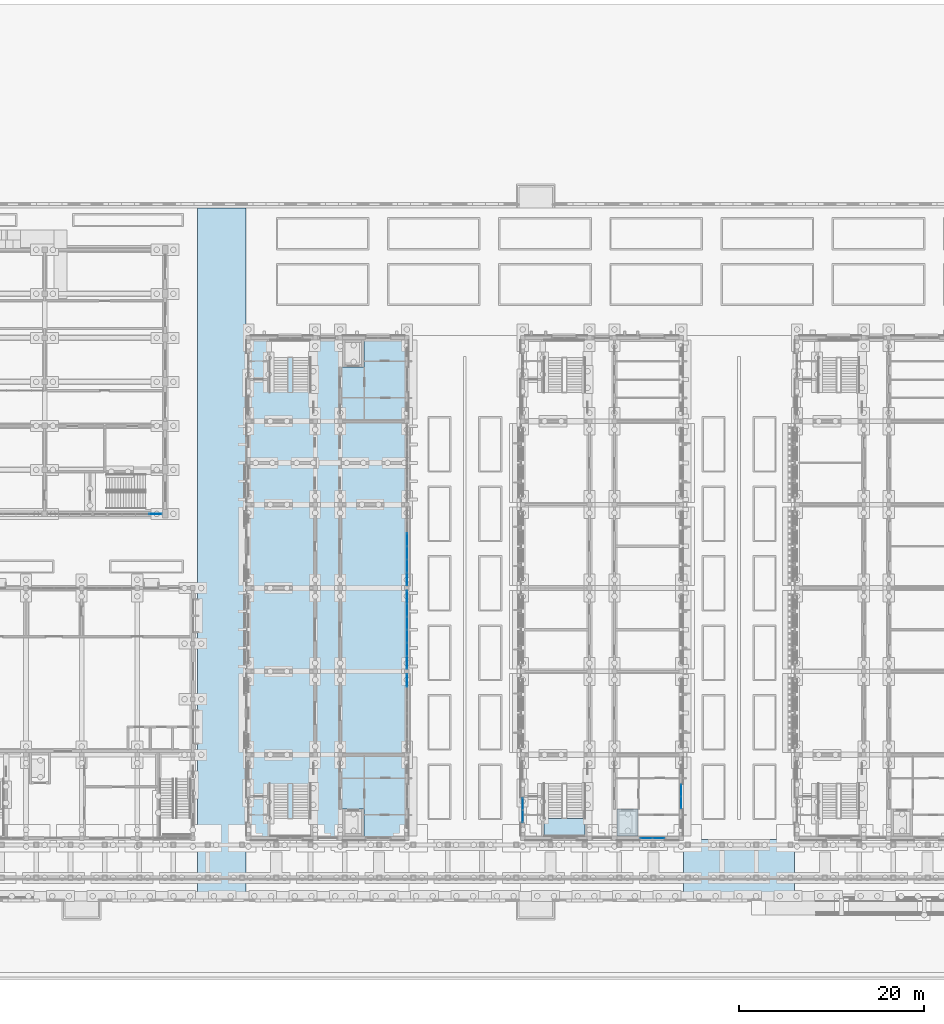
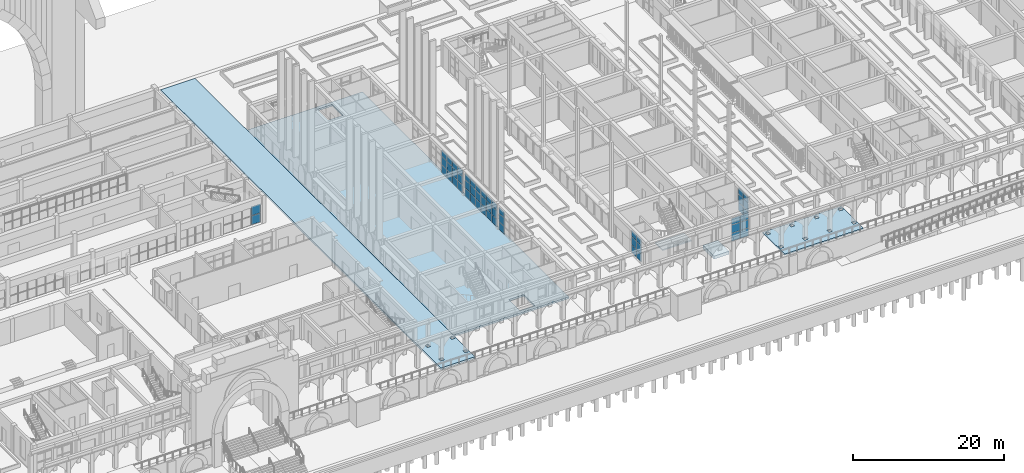
# One storey, part 46 of 161: 53 plates, 5 slabs, 8 elements without a shape of their own.
"""IFC4 building model written with IfcOpenShell, lengths in metres."""

from ifc_helpers import new_model, si_unit, direction, frame, origin, origin_2d, place, context, subcontext, project, spatial, polyline, rectangle, outline, extrude, material, layer, layer_set, type_object, element, aggregate, save


model = new_model("IFC4")

# Units and contexts
model_context = context("Model", 3, precision=1e-05, world=origin(), true_north=direction((0.0, 1.0)))
body_context = subcontext(model_context, "Body", "Model", "MODEL_VIEW")
ifc_project = project(units=[si_unit("LENGTHUNIT", "METRE"), si_unit("AREAUNIT", "SQUARE_METRE"), si_unit("VOLUMEUNIT", "CUBIC_METRE"), si_unit("PLANEANGLEUNIT", "RADIAN"), si_unit("MASSUNIT", "GRAM", prefix="KILO")], contexts=[model_context])

# Site, building, storey
site_placement = place(None, origin())
site = spatial("IfcSite", under=ifc_project, at=site_placement, CompositionType="ELEMENT")
building_placement = place(site_placement, origin())
building = spatial("IfcBuilding", under=site, at=building_placement, Name="Elbe Cascade School", CompositionType="ELEMENT")
storey_placement = place(building_placement, origin())
storey = spatial("IfcBuildingStorey", under=building, at=storey_placement, Name="L00", CompositionType="ELEMENT", Elevation=0.0)

# Stair, slab
ifc_material_1 = material(Name="Concrete C30/37", Category="concrete")
stair_type = type_object("IfcStairType", Name="Bar stair RC 150", PredefinedType="HALF_TURN_STAIR", material=ifc_material_1)
stair_placement = place(storey_placement, origin())
stair = element("IfcStair", 1, at=stair_placement, inside=storey, type_object=stair_type, Name="Stair B0.S", PredefinedType="HALF_TURN_STAIR")
ifc_material_2 = material(Name="Concrete C30/37", Category="concrete")
ifc_layer_1 = layer(ifc_material_2, 0.199951171875)
ifc_layer_set_1 = layer_set([ifc_layer_1], Name="Concrete C30/37")
slab_type_1 = type_object("IfcSlabType", Name="Bar stair landing RC 200", PredefinedType="LANDING", material=ifc_layer_set_1)
slab_1_placement = place(storey_placement, frame((0.0, 0.0, 2.050048828125)))
slab_1 = element("IfcSlab", 2, at=slab_1_placement, type_object=slab_type_1, Name="ST3 landing 1", PredefinedType="LANDING", context=body_context, shape_type="SweptSolid", body=[
    extrude(outline(polyline([(100.89990234375, 6.179931640625), (105.300048828125, 6.179931640625), (105.300048828125, 8.1298828125), (100.89990234375, 8.1298828125), (100.89990234375, 6.179931640625)])), origin(), (0.0, 0.0, 1.0), 0.199951171875),
])
aggregate(stair, [slab_1])

# Curtain wall, plates
ifc_material_3 = material(Name="Aluminium frame with double glazing, bronze anodised", Category="aluminium")
ifc_layer_2 = layer(ifc_material_3, 0.199951171875)
ifc_layer_set_2 = layer_set([ifc_layer_2], Name="Aluminium frame with double glazing, bronze anodised")
curtain_wall_type_1 = type_object("IfcCurtainWallType", Name="Bars envelope Curtain wall, aluminium, bronze anodised, ground floor tall run", PredefinedType="NOTDEFINED", material=ifc_layer_set_2)
curtain_wall_1_placement = place(storey_placement, origin())
curtain_wall_1 = element("IfcCurtainWall", 3, at=curtain_wall_1_placement, inside=storey, type_object=curtain_wall_type_1, Name="Curtain wall CW3 A.L00.e2", PredefinedType="NOTDEFINED")
ifc_material_4 = material(Name="Glass - double glazed low-E", Category="glass")
ifc_layer_3 = layer(ifc_material_4, 0.035888671875)
ifc_layer_set_3 = layer_set([ifc_layer_3], Name="Glass - double glazed low-E")
plate_type_1 = type_object("IfcPlateType", Name="Bars envelope Curtain wall glazing panel 36 mm, double glazed, ground floor tall run", PredefinedType="CURTAIN_PANEL", material=ifc_layer_set_3)
plate_1_placement = place(storey_placement, frame((86.10009765625, 23.026611328125, 0.06005859375), z_axis=(0.0, 0.0, 1.0), x_axis=(0.0, -1.0, 0.0)))
plate_1 = element("IfcPlate", 4, at=plate_1_placement, type_object=plate_type_1, Name="CW3 panel 1.1", PredefinedType="CURTAIN_PANEL", context=body_context, shape_type="SweptSolid", body=[
    extrude(rectangle(XDim=1.32666015625, YDim=0.035888671875, at=origin_2d()), origin(), (0.0, 0.0, 1.0), 1.260009765625),
])
plate_2_placement = place(storey_placement, frame((86.10009765625, 23.026611328125, 1.3798828125), z_axis=(0.0, 0.0, 1.0), x_axis=(0.0, -1.0, 0.0)))
plate_2 = element("IfcPlate", 5, at=plate_2_placement, type_object=plate_type_1, Name="CW3 panel 1.2", PredefinedType="CURTAIN_PANEL", context=body_context, shape_type="SweptSolid", body=[
    extrude(rectangle(XDim=1.32666015625, YDim=0.035888671875, at=origin_2d()), origin(), (0.0, 0.0, 1.0), 1.2900390625),
])
plate_3_placement = place(storey_placement, frame((86.10009765625, 23.026611328125, 2.72998046875), z_axis=(0.0, 0.0, 1.0), x_axis=(0.0, -1.0, 0.0)))
plate_3 = element("IfcPlate", 6, at=plate_3_placement, type_object=plate_type_1, Name="CW3 panel 1.3", PredefinedType="CURTAIN_PANEL", context=body_context, shape_type="SweptSolid", body=[
    extrude(rectangle(XDim=1.32666015625, YDim=0.035888671875, at=origin_2d()), origin(), (0.0, 0.0, 1.0), 0.9599609375),
])
aggregate(curtain_wall_1, [plate_1, plate_2, plate_3])

curtain_wall_2_placement = place(storey_placement, origin())
curtain_wall_2 = element("IfcCurtainWall", 7, at=curtain_wall_2_placement, inside=storey, type_object=curtain_wall_type_1, Name="Curtain wall CW3 A.L00.e3", PredefinedType="NOTDEFINED")
plate_4_placement = place(storey_placement, frame((86.10009765625, 32.026611328125, 0.06005859375), z_axis=(0.0, 0.0, 1.0), x_axis=(0.0, -1.0, 0.0)))
plate_4 = element("IfcPlate", 8, at=plate_4_placement, type_object=plate_type_1, Name="CW3 panel 1.1", PredefinedType="CURTAIN_PANEL", context=body_context, shape_type="SweptSolid", body=[
    extrude(rectangle(XDim=1.32666015625, YDim=0.035888671875, at=origin_2d()), origin(), (0.0, 0.0, 1.0), 1.260009765625),
])
plate_5_placement = place(storey_placement, frame((86.10009765625, 32.026611328125, 1.3798828125), z_axis=(0.0, 0.0, 1.0), x_axis=(0.0, -1.0, 0.0)))
plate_5 = element("IfcPlate", 9, at=plate_5_placement, type_object=plate_type_1, Name="CW3 panel 1.2", PredefinedType="CURTAIN_PANEL", context=body_context, shape_type="SweptSolid", body=[
    extrude(rectangle(XDim=1.32666015625, YDim=0.035888671875, at=origin_2d()), origin(), (0.0, 0.0, 1.0), 1.2900390625),
])
plate_6_placement = place(storey_placement, frame((86.10009765625, 32.026611328125, 2.72998046875), z_axis=(0.0, 0.0, 1.0), x_axis=(0.0, -1.0, 0.0)))
plate_6 = element("IfcPlate", 10, at=plate_6_placement, type_object=plate_type_1, Name="CW3 panel 1.3", PredefinedType="CURTAIN_PANEL", context=body_context, shape_type="SweptSolid", body=[
    extrude(rectangle(XDim=1.32666015625, YDim=0.035888671875, at=origin_2d()), origin(), (0.0, 0.0, 1.0), 0.9599609375),
])
plate_7_placement = place(storey_placement, frame((86.10009765625, 30.625, 0.06005859375), z_axis=(0.0, 0.0, 1.0), x_axis=(0.0, -1.0, 0.0)))
plate_7 = element("IfcPlate", 11, at=plate_7_placement, type_object=plate_type_1, Name="CW3 panel 2.1", PredefinedType="CURTAIN_PANEL", context=body_context, shape_type="SweptSolid", body=[
    extrude(rectangle(XDim=1.356689453125, YDim=0.035888671875, at=origin_2d()), origin(), (0.0, 0.0, 1.0), 1.260009765625),
])
plate_8_placement = place(storey_placement, frame((86.10009765625, 30.625, 1.3798828125), z_axis=(0.0, 0.0, 1.0), x_axis=(0.0, -1.0, 0.0)))
plate_8 = element("IfcPlate", 12, at=plate_8_placement, type_object=plate_type_1, Name="CW3 panel 2.2", PredefinedType="CURTAIN_PANEL", context=body_context, shape_type="SweptSolid", body=[
    extrude(rectangle(XDim=1.356689453125, YDim=0.035888671875, at=origin_2d()), origin(), (0.0, 0.0, 1.0), 1.2900390625),
])
plate_9_placement = place(storey_placement, frame((86.10009765625, 30.625, 2.72998046875), z_axis=(0.0, 0.0, 1.0), x_axis=(0.0, -1.0, 0.0)))
plate_9 = element("IfcPlate", 13, at=plate_9_placement, type_object=plate_type_1, Name="CW3 panel 2.3", PredefinedType="CURTAIN_PANEL", context=body_context, shape_type="SweptSolid", body=[
    extrude(rectangle(XDim=1.356689453125, YDim=0.035888671875, at=origin_2d()), origin(), (0.0, 0.0, 1.0), 0.9599609375),
])
plate_10_placement = place(storey_placement, frame((86.10009765625, 29.208251953125, 0.06005859375), z_axis=(0.0, 0.0, 1.0), x_axis=(0.0, -1.0, 0.0)))
plate_10 = element("IfcPlate", 14, at=plate_10_placement, type_object=plate_type_1, Name="CW3 panel 3.1", PredefinedType="CURTAIN_PANEL", context=body_context, shape_type="SweptSolid", body=[
    extrude(rectangle(XDim=1.356689453125, YDim=0.035888671875, at=origin_2d()), origin(), (0.0, 0.0, 1.0), 1.260009765625),
])
plate_11_placement = place(storey_placement, frame((86.10009765625, 29.208251953125, 1.3798828125), z_axis=(0.0, 0.0, 1.0), x_axis=(0.0, -1.0, 0.0)))
plate_11 = element("IfcPlate", 15, at=plate_11_placement, type_object=plate_type_1, Name="CW3 panel 3.2", PredefinedType="CURTAIN_PANEL", context=body_context, shape_type="SweptSolid", body=[
    extrude(rectangle(XDim=1.356689453125, YDim=0.035888671875, at=origin_2d()), origin(), (0.0, 0.0, 1.0), 1.2900390625),
])
plate_12_placement = place(storey_placement, frame((86.10009765625, 29.208251953125, 2.72998046875), z_axis=(0.0, 0.0, 1.0), x_axis=(0.0, -1.0, 0.0)))
plate_12 = element("IfcPlate", 16, at=plate_12_placement, type_object=plate_type_1, Name="CW3 panel 3.3", PredefinedType="CURTAIN_PANEL", context=body_context, shape_type="SweptSolid", body=[
    extrude(rectangle(XDim=1.356689453125, YDim=0.035888671875, at=origin_2d()), origin(), (0.0, 0.0, 1.0), 0.9599609375),
])
plate_13_placement = place(storey_placement, frame((86.10009765625, 27.791748046875, 0.06005859375), z_axis=(0.0, 0.0, 1.0), x_axis=(0.0, -1.0, 0.0)))
plate_13 = element("IfcPlate", 17, at=plate_13_placement, type_object=plate_type_1, Name="CW3 panel 4.1", PredefinedType="CURTAIN_PANEL", context=body_context, shape_type="SweptSolid", body=[
    extrude(rectangle(XDim=1.356689453125, YDim=0.035888671875, at=origin_2d()), origin(), (0.0, 0.0, 1.0), 1.260009765625),
])
plate_14_placement = place(storey_placement, frame((86.10009765625, 27.791748046875, 1.3798828125), z_axis=(0.0, 0.0, 1.0), x_axis=(0.0, -1.0, 0.0)))
plate_14 = element("IfcPlate", 18, at=plate_14_placement, type_object=plate_type_1, Name="CW3 panel 4.2", PredefinedType="CURTAIN_PANEL", context=body_context, shape_type="SweptSolid", body=[
    extrude(rectangle(XDim=1.356689453125, YDim=0.035888671875, at=origin_2d()), origin(), (0.0, 0.0, 1.0), 1.2900390625),
])
plate_15_placement = place(storey_placement, frame((86.10009765625, 27.791748046875, 2.72998046875), z_axis=(0.0, 0.0, 1.0), x_axis=(0.0, -1.0, 0.0)))
plate_15 = element("IfcPlate", 19, at=plate_15_placement, type_object=plate_type_1, Name="CW3 panel 4.3", PredefinedType="CURTAIN_PANEL", context=body_context, shape_type="SweptSolid", body=[
    extrude(rectangle(XDim=1.356689453125, YDim=0.035888671875, at=origin_2d()), origin(), (0.0, 0.0, 1.0), 0.9599609375),
])
plate_16_placement = place(storey_placement, frame((86.10009765625, 26.375, 0.06005859375), z_axis=(0.0, 0.0, 1.0), x_axis=(0.0, -1.0, 0.0)))
plate_16 = element("IfcPlate", 20, at=plate_16_placement, type_object=plate_type_1, Name="CW3 panel 5.1", PredefinedType="CURTAIN_PANEL", context=body_context, shape_type="SweptSolid", body=[
    extrude(rectangle(XDim=1.356689453125, YDim=0.035888671875, at=origin_2d()), origin(), (0.0, 0.0, 1.0), 1.260009765625),
])
plate_17_placement = place(storey_placement, frame((86.10009765625, 26.375, 1.3798828125), z_axis=(0.0, 0.0, 1.0), x_axis=(0.0, -1.0, 0.0)))
plate_17 = element("IfcPlate", 21, at=plate_17_placement, type_object=plate_type_1, Name="CW3 panel 5.2", PredefinedType="CURTAIN_PANEL", context=body_context, shape_type="SweptSolid", body=[
    extrude(rectangle(XDim=1.356689453125, YDim=0.035888671875, at=origin_2d()), origin(), (0.0, 0.0, 1.0), 1.2900390625),
])
plate_18_placement = place(storey_placement, frame((86.10009765625, 26.375, 2.72998046875), z_axis=(0.0, 0.0, 1.0), x_axis=(0.0, -1.0, 0.0)))
plate_18 = element("IfcPlate", 22, at=plate_18_placement, type_object=plate_type_1, Name="CW3 panel 5.3", PredefinedType="CURTAIN_PANEL", context=body_context, shape_type="SweptSolid", body=[
    extrude(rectangle(XDim=1.356689453125, YDim=0.035888671875, at=origin_2d()), origin(), (0.0, 0.0, 1.0), 0.9599609375),
])
plate_19_placement = place(storey_placement, frame((86.10009765625, 24.973388671875, 0.06005859375), z_axis=(0.0, 0.0, 1.0), x_axis=(0.0, -1.0, 0.0)))
plate_19 = element("IfcPlate", 23, at=plate_19_placement, type_object=plate_type_1, Name="CW3 panel 6.1", PredefinedType="CURTAIN_PANEL", context=body_context, shape_type="SweptSolid", body=[
    extrude(rectangle(XDim=1.32666015625, YDim=0.035888671875, at=origin_2d()), origin(), (0.0, 0.0, 1.0), 1.260009765625),
])
plate_20_placement = place(storey_placement, frame((86.10009765625, 24.973388671875, 1.3798828125), z_axis=(0.0, 0.0, 1.0), x_axis=(0.0, -1.0, 0.0)))
plate_20 = element("IfcPlate", 24, at=plate_20_placement, type_object=plate_type_1, Name="CW3 panel 6.2", PredefinedType="CURTAIN_PANEL", context=body_context, shape_type="SweptSolid", body=[
    extrude(rectangle(XDim=1.32666015625, YDim=0.035888671875, at=origin_2d()), origin(), (0.0, 0.0, 1.0), 1.2900390625),
])
plate_21_placement = place(storey_placement, frame((86.10009765625, 24.973388671875, 2.72998046875), z_axis=(0.0, 0.0, 1.0), x_axis=(0.0, -1.0, 0.0)))
plate_21 = element("IfcPlate", 25, at=plate_21_placement, type_object=plate_type_1, Name="CW3 panel 6.3", PredefinedType="CURTAIN_PANEL", context=body_context, shape_type="SweptSolid", body=[
    extrude(rectangle(XDim=1.32666015625, YDim=0.035888671875, at=origin_2d()), origin(), (0.0, 0.0, 1.0), 0.9599609375),
])
aggregate(curtain_wall_2, [plate_4, plate_5, plate_6, plate_7, plate_8, plate_9, plate_10, plate_11, plate_12, plate_13, plate_14, plate_15, plate_16, plate_17, plate_18, plate_19, plate_20, plate_21])

curtain_wall_3_placement = place(storey_placement, origin())
curtain_wall_3 = element("IfcCurtainWall", 26, at=curtain_wall_3_placement, inside=storey, type_object=curtain_wall_type_1, Name="Curtain wall CW3 A.L00.e4", PredefinedType="NOTDEFINED")
plate_22_placement = place(storey_placement, frame((86.10009765625, 38.208251953125, 0.06005859375), z_axis=(0.0, 0.0, 1.0), x_axis=(0.0, -1.0, 0.0)))
plate_22 = element("IfcPlate", 27, at=plate_22_placement, type_object=plate_type_1, Name="CW3 panel 3.1", PredefinedType="CURTAIN_PANEL", context=body_context, shape_type="SweptSolid", body=[
    extrude(rectangle(XDim=1.356689453125, YDim=0.035888671875, at=origin_2d()), origin(), (0.0, 0.0, 1.0), 1.260009765625),
])
plate_23_placement = place(storey_placement, frame((86.10009765625, 38.208251953125, 1.3798828125), z_axis=(0.0, 0.0, 1.0), x_axis=(0.0, -1.0, 0.0)))
plate_23 = element("IfcPlate", 28, at=plate_23_placement, type_object=plate_type_1, Name="CW3 panel 3.2", PredefinedType="CURTAIN_PANEL", context=body_context, shape_type="SweptSolid", body=[
    extrude(rectangle(XDim=1.356689453125, YDim=0.035888671875, at=origin_2d()), origin(), (0.0, 0.0, 1.0), 1.2900390625),
])
plate_24_placement = place(storey_placement, frame((86.10009765625, 38.208251953125, 2.72998046875), z_axis=(0.0, 0.0, 1.0), x_axis=(0.0, -1.0, 0.0)))
plate_24 = element("IfcPlate", 29, at=plate_24_placement, type_object=plate_type_1, Name="CW3 panel 3.3", PredefinedType="CURTAIN_PANEL", context=body_context, shape_type="SweptSolid", body=[
    extrude(rectangle(XDim=1.356689453125, YDim=0.035888671875, at=origin_2d()), origin(), (0.0, 0.0, 1.0), 0.9599609375),
])
plate_25_placement = place(storey_placement, frame((86.10009765625, 36.791748046875, 0.06005859375), z_axis=(0.0, 0.0, 1.0), x_axis=(0.0, -1.0, 0.0)))
plate_25 = element("IfcPlate", 30, at=plate_25_placement, type_object=plate_type_1, Name="CW3 panel 4.1", PredefinedType="CURTAIN_PANEL", context=body_context, shape_type="SweptSolid", body=[
    extrude(rectangle(XDim=1.356689453125, YDim=0.035888671875, at=origin_2d()), origin(), (0.0, 0.0, 1.0), 1.260009765625),
])
plate_26_placement = place(storey_placement, frame((86.10009765625, 36.791748046875, 1.3798828125), z_axis=(0.0, 0.0, 1.0), x_axis=(0.0, -1.0, 0.0)))
plate_26 = element("IfcPlate", 31, at=plate_26_placement, type_object=plate_type_1, Name="CW3 panel 4.2", PredefinedType="CURTAIN_PANEL", context=body_context, shape_type="SweptSolid", body=[
    extrude(rectangle(XDim=1.356689453125, YDim=0.035888671875, at=origin_2d()), origin(), (0.0, 0.0, 1.0), 1.2900390625),
])
plate_27_placement = place(storey_placement, frame((86.10009765625, 36.791748046875, 2.72998046875), z_axis=(0.0, 0.0, 1.0), x_axis=(0.0, -1.0, 0.0)))
plate_27 = element("IfcPlate", 32, at=plate_27_placement, type_object=plate_type_1, Name="CW3 panel 4.3", PredefinedType="CURTAIN_PANEL", context=body_context, shape_type="SweptSolid", body=[
    extrude(rectangle(XDim=1.356689453125, YDim=0.035888671875, at=origin_2d()), origin(), (0.0, 0.0, 1.0), 0.9599609375),
])
plate_28_placement = place(storey_placement, frame((86.10009765625, 35.375, 0.06005859375), z_axis=(0.0, 0.0, 1.0), x_axis=(0.0, -1.0, 0.0)))
plate_28 = element("IfcPlate", 33, at=plate_28_placement, type_object=plate_type_1, Name="CW3 panel 5.1", PredefinedType="CURTAIN_PANEL", context=body_context, shape_type="SweptSolid", body=[
    extrude(rectangle(XDim=1.356689453125, YDim=0.035888671875, at=origin_2d()), origin(), (0.0, 0.0, 1.0), 1.260009765625),
])
plate_29_placement = place(storey_placement, frame((86.10009765625, 35.375, 1.3798828125), z_axis=(0.0, 0.0, 1.0), x_axis=(0.0, -1.0, 0.0)))
plate_29 = element("IfcPlate", 34, at=plate_29_placement, type_object=plate_type_1, Name="CW3 panel 5.2", PredefinedType="CURTAIN_PANEL", context=body_context, shape_type="SweptSolid", body=[
    extrude(rectangle(XDim=1.356689453125, YDim=0.035888671875, at=origin_2d()), origin(), (0.0, 0.0, 1.0), 1.2900390625),
])
plate_30_placement = place(storey_placement, frame((86.10009765625, 35.375, 2.72998046875), z_axis=(0.0, 0.0, 1.0), x_axis=(0.0, -1.0, 0.0)))
plate_30 = element("IfcPlate", 35, at=plate_30_placement, type_object=plate_type_1, Name="CW3 panel 5.3", PredefinedType="CURTAIN_PANEL", context=body_context, shape_type="SweptSolid", body=[
    extrude(rectangle(XDim=1.356689453125, YDim=0.035888671875, at=origin_2d()), origin(), (0.0, 0.0, 1.0), 0.9599609375),
])
plate_31_placement = place(storey_placement, frame((86.10009765625, 33.973388671875, 0.06005859375), z_axis=(0.0, 0.0, 1.0), x_axis=(0.0, -1.0, 0.0)))
plate_31 = element("IfcPlate", 36, at=plate_31_placement, type_object=plate_type_1, Name="CW3 panel 6.1", PredefinedType="CURTAIN_PANEL", context=body_context, shape_type="SweptSolid", body=[
    extrude(rectangle(XDim=1.32666015625, YDim=0.035888671875, at=origin_2d()), origin(), (0.0, 0.0, 1.0), 1.260009765625),
])
plate_32_placement = place(storey_placement, frame((86.10009765625, 33.973388671875, 1.3798828125), z_axis=(0.0, 0.0, 1.0), x_axis=(0.0, -1.0, 0.0)))
plate_32 = element("IfcPlate", 37, at=plate_32_placement, type_object=plate_type_1, Name="CW3 panel 6.2", PredefinedType="CURTAIN_PANEL", context=body_context, shape_type="SweptSolid", body=[
    extrude(rectangle(XDim=1.32666015625, YDim=0.035888671875, at=origin_2d()), origin(), (0.0, 0.0, 1.0), 1.2900390625),
])
plate_33_placement = place(storey_placement, frame((86.10009765625, 33.973388671875, 2.72998046875), z_axis=(0.0, 0.0, 1.0), x_axis=(0.0, -1.0, 0.0)))
plate_33 = element("IfcPlate", 38, at=plate_33_placement, type_object=plate_type_1, Name="CW3 panel 6.3", PredefinedType="CURTAIN_PANEL", context=body_context, shape_type="SweptSolid", body=[
    extrude(rectangle(XDim=1.32666015625, YDim=0.035888671875, at=origin_2d()), origin(), (0.0, 0.0, 1.0), 0.9599609375),
])
aggregate(curtain_wall_3, [plate_22, plate_23, plate_24, plate_25, plate_26, plate_27, plate_28, plate_29, plate_30, plate_31, plate_32, plate_33])

curtain_wall_4_placement = place(storey_placement, origin())
curtain_wall_4 = element("IfcCurtainWall", 39, at=curtain_wall_4_placement, inside=storey, type_object=curtain_wall_type_1, Name="Curtain wall CW3 B.L00.w1", PredefinedType="NOTDEFINED")
plate_34_placement = place(storey_placement, frame((98.60009765625, 8.3798828125, 0.06005859375), z_axis=(0.0, 0.0, 1.0), x_axis=(0.0, 1.0, 0.0)))
plate_34 = element("IfcPlate", 40, at=plate_34_placement, type_object=plate_type_1, Name="CW3 panel 1.1", PredefinedType="CURTAIN_PANEL", context=body_context, shape_type="SweptSolid", body=[
    extrude(rectangle(XDim=1.260009765625, YDim=0.035888671875, at=origin_2d()), origin(), (0.0, 0.0, 1.0), 1.260009765625),
])
plate_35_placement = place(storey_placement, frame((98.60009765625, 8.3798828125, 1.3798828125), z_axis=(0.0, 0.0, 1.0), x_axis=(0.0, 1.0, 0.0)))
plate_35 = element("IfcPlate", 41, at=plate_35_placement, type_object=plate_type_1, Name="CW3 panel 1.2", PredefinedType="CURTAIN_PANEL", context=body_context, shape_type="SweptSolid", body=[
    extrude(rectangle(XDim=1.260009765625, YDim=0.035888671875, at=origin_2d()), origin(), (0.0, 0.0, 1.0), 1.2900390625),
])
plate_36_placement = place(storey_placement, frame((98.60009765625, 8.3798828125, 2.72998046875), z_axis=(0.0, 0.0, 1.0), x_axis=(0.0, 1.0, 0.0)))
plate_36 = element("IfcPlate", 42, at=plate_36_placement, type_object=plate_type_1, Name="CW3 panel 1.3", PredefinedType="CURTAIN_PANEL", context=body_context, shape_type="SweptSolid", body=[
    extrude(rectangle(XDim=1.260009765625, YDim=0.035888671875, at=origin_2d()), origin(), (0.0, 0.0, 1.0), 0.9599609375),
])
plate_37_placement = place(storey_placement, frame((98.60009765625, 9.699951171875, 0.06005859375), z_axis=(0.0, 0.0, 1.0), x_axis=(0.0, 1.0, 0.0)))
plate_37 = element("IfcPlate", 43, at=plate_37_placement, type_object=plate_type_1, Name="CW3 panel 2.1", PredefinedType="CURTAIN_PANEL", context=body_context, shape_type="SweptSolid", body=[
    extrude(rectangle(XDim=1.260009765625, YDim=0.035888671875, at=origin_2d()), origin(), (0.0, 0.0, 1.0), 1.260009765625),
])
plate_38_placement = place(storey_placement, frame((98.60009765625, 9.699951171875, 1.3798828125), z_axis=(0.0, 0.0, 1.0), x_axis=(0.0, 1.0, 0.0)))
plate_38 = element("IfcPlate", 44, at=plate_38_placement, type_object=plate_type_1, Name="CW3 panel 2.2", PredefinedType="CURTAIN_PANEL", context=body_context, shape_type="SweptSolid", body=[
    extrude(rectangle(XDim=1.260009765625, YDim=0.035888671875, at=origin_2d()), origin(), (0.0, 0.0, 1.0), 1.2900390625),
])
plate_39_placement = place(storey_placement, frame((98.60009765625, 9.699951171875, 2.72998046875), z_axis=(0.0, 0.0, 1.0), x_axis=(0.0, 1.0, 0.0)))
plate_39 = element("IfcPlate", 45, at=plate_39_placement, type_object=plate_type_1, Name="CW3 panel 2.3", PredefinedType="CURTAIN_PANEL", context=body_context, shape_type="SweptSolid", body=[
    extrude(rectangle(XDim=1.260009765625, YDim=0.035888671875, at=origin_2d()), origin(), (0.0, 0.0, 1.0), 0.9599609375),
])
aggregate(curtain_wall_4, [plate_34, plate_35, plate_36, plate_37, plate_38, plate_39])

curtain_wall_5_placement = place(storey_placement, origin())
curtain_wall_5 = element("IfcCurtainWall", 46, at=curtain_wall_5_placement, inside=storey, type_object=curtain_wall_type_1, Name="Curtain wall CW3 B.L00.e1", PredefinedType="NOTDEFINED")
plate_40_placement = place(storey_placement, frame((115.699951171875, 11.159912109375, 0.06005859375), z_axis=(0.0, 0.0, 1.0), x_axis=(0.0, -1.0, 0.0)))
plate_40 = element("IfcPlate", 47, at=plate_40_placement, type_object=plate_type_1, Name="CW3 panel 1.1", PredefinedType="CURTAIN_PANEL", context=body_context, shape_type="SweptSolid", body=[
    extrude(rectangle(XDim=1.260009765625, YDim=0.035888671875, at=origin_2d()), origin(), (0.0, 0.0, 1.0), 1.260009765625),
])
plate_41_placement = place(storey_placement, frame((115.699951171875, 11.159912109375, 1.3798828125), z_axis=(0.0, 0.0, 1.0), x_axis=(0.0, -1.0, 0.0)))
plate_41 = element("IfcPlate", 48, at=plate_41_placement, type_object=plate_type_1, Name="CW3 panel 1.2", PredefinedType="CURTAIN_PANEL", context=body_context, shape_type="SweptSolid", body=[
    extrude(rectangle(XDim=1.260009765625, YDim=0.035888671875, at=origin_2d()), origin(), (0.0, 0.0, 1.0), 1.2900390625),
])
plate_42_placement = place(storey_placement, frame((115.699951171875, 11.159912109375, 2.72998046875), z_axis=(0.0, 0.0, 1.0), x_axis=(0.0, -1.0, 0.0)))
plate_42 = element("IfcPlate", 49, at=plate_42_placement, type_object=plate_type_1, Name="CW3 panel 1.3", PredefinedType="CURTAIN_PANEL", context=body_context, shape_type="SweptSolid", body=[
    extrude(rectangle(XDim=1.260009765625, YDim=0.035888671875, at=origin_2d()), origin(), (0.0, 0.0, 1.0), 0.9599609375),
])
plate_43_placement = place(storey_placement, frame((115.699951171875, 9.840087890625, 0.06005859375), z_axis=(0.0, 0.0, 1.0), x_axis=(0.0, -1.0, 0.0)))
plate_43 = element("IfcPlate", 50, at=plate_43_placement, type_object=plate_type_1, Name="CW3 panel 2.1", PredefinedType="CURTAIN_PANEL", context=body_context, shape_type="SweptSolid", body=[
    extrude(rectangle(XDim=1.260009765625, YDim=0.035888671875, at=origin_2d()), origin(), (0.0, 0.0, 1.0), 1.260009765625),
])
plate_44_placement = place(storey_placement, frame((115.699951171875, 9.840087890625, 1.3798828125), z_axis=(0.0, 0.0, 1.0), x_axis=(0.0, -1.0, 0.0)))
plate_44 = element("IfcPlate", 51, at=plate_44_placement, type_object=plate_type_1, Name="CW3 panel 2.2", PredefinedType="CURTAIN_PANEL", context=body_context, shape_type="SweptSolid", body=[
    extrude(rectangle(XDim=1.260009765625, YDim=0.035888671875, at=origin_2d()), origin(), (0.0, 0.0, 1.0), 1.2900390625),
])
plate_45_placement = place(storey_placement, frame((115.699951171875, 9.840087890625, 2.72998046875), z_axis=(0.0, 0.0, 1.0), x_axis=(0.0, -1.0, 0.0)))
plate_45 = element("IfcPlate", 52, at=plate_45_placement, type_object=plate_type_1, Name="CW3 panel 2.3", PredefinedType="CURTAIN_PANEL", context=body_context, shape_type="SweptSolid", body=[
    extrude(rectangle(XDim=1.260009765625, YDim=0.035888671875, at=origin_2d()), origin(), (0.0, 0.0, 1.0), 0.9599609375),
])
aggregate(curtain_wall_5, [plate_40, plate_41, plate_42, plate_43, plate_44, plate_45])

curtain_wall_6_placement = place(storey_placement, origin())
curtain_wall_6 = element("IfcCurtainWall", 53, at=curtain_wall_6_placement, inside=storey, type_object=curtain_wall_type_1, Name="Curtain wall CW3 B.L00.s3", PredefinedType="NOTDEFINED")
plate_46_placement = place(storey_placement, frame((113.260009765625, 6.0, 0.06005859375), z_axis=(0.0, 0.0, 1.0), x_axis=(-1.0, 0.0, 0.0)))
plate_46 = element("IfcPlate", 54, at=plate_46_placement, type_object=plate_type_1, Name="CW3 panel 1.1", PredefinedType="CURTAIN_PANEL", context=body_context, shape_type="SweptSolid", body=[
    extrude(rectangle(XDim=1.260009765625, YDim=0.035888671875, at=origin_2d()), origin(), (0.0, 0.0, 1.0), 1.260009765625),
])
plate_47_placement = place(storey_placement, frame((113.260009765625, 6.0, 1.3798828125), z_axis=(0.0, 0.0, 1.0), x_axis=(-1.0, 0.0, 0.0)))
plate_47 = element("IfcPlate", 55, at=plate_47_placement, type_object=plate_type_1, Name="CW3 panel 1.2", PredefinedType="CURTAIN_PANEL", context=body_context, shape_type="SweptSolid", body=[
    extrude(rectangle(XDim=1.260009765625, YDim=0.035888671875, at=origin_2d()), origin(), (0.0, 0.0, 1.0), 1.2900390625),
])
plate_48_placement = place(storey_placement, frame((113.260009765625, 6.0, 2.72998046875), z_axis=(0.0, 0.0, 1.0), x_axis=(-1.0, 0.0, 0.0)))
plate_48 = element("IfcPlate", 56, at=plate_48_placement, type_object=plate_type_1, Name="CW3 panel 1.3", PredefinedType="CURTAIN_PANEL", context=body_context, shape_type="SweptSolid", body=[
    extrude(rectangle(XDim=1.260009765625, YDim=0.035888671875, at=origin_2d()), origin(), (0.0, 0.0, 1.0), 1.010009765625),
])
plate_49_placement = place(storey_placement, frame((111.93994140625, 6.0, 0.06005859375), z_axis=(0.0, 0.0, 1.0), x_axis=(-1.0, 0.0, 0.0)))
plate_49 = element("IfcPlate", 57, at=plate_49_placement, type_object=plate_type_1, Name="CW3 panel 2.1", PredefinedType="CURTAIN_PANEL", context=body_context, shape_type="SweptSolid", body=[
    extrude(rectangle(XDim=1.260009765625, YDim=0.035888671875, at=origin_2d()), origin(), (0.0, 0.0, 1.0), 1.260009765625),
])
plate_50_placement = place(storey_placement, frame((111.93994140625, 6.0, 1.3798828125), z_axis=(0.0, 0.0, 1.0), x_axis=(-1.0, 0.0, 0.0)))
plate_50 = element("IfcPlate", 58, at=plate_50_placement, type_object=plate_type_1, Name="CW3 panel 2.2", PredefinedType="CURTAIN_PANEL", context=body_context, shape_type="SweptSolid", body=[
    extrude(rectangle(XDim=1.260009765625, YDim=0.035888671875, at=origin_2d()), origin(), (0.0, 0.0, 1.0), 1.2900390625),
])
plate_51_placement = place(storey_placement, frame((111.93994140625, 6.0, 2.72998046875), z_axis=(0.0, 0.0, 1.0), x_axis=(-1.0, 0.0, 0.0)))
plate_51 = element("IfcPlate", 59, at=plate_51_placement, type_object=plate_type_1, Name="CW3 panel 2.3", PredefinedType="CURTAIN_PANEL", context=body_context, shape_type="SweptSolid", body=[
    extrude(rectangle(XDim=1.260009765625, YDim=0.035888671875, at=origin_2d()), origin(), (0.0, 0.0, 1.0), 1.010009765625),
])
aggregate(curtain_wall_6, [plate_46, plate_47, plate_48, plate_49, plate_50, plate_51])

# Slabs
ifc_material_5 = material(Name="Concrete C30/37", Category="concrete")
ifc_layer_4 = layer(ifc_material_5, 0.300048828125)
ifc_layer_set_4 = layer_set([ifc_layer_4], Name="Concrete C30/37")
slab_type_2 = type_object("IfcSlabType", Name="Fire lane slab 300", PredefinedType="BASESLAB", material=ifc_layer_set_4)
slab_2_placement = place(storey_placement, frame((0.0, 0.0, -0.300048828125)))
element("IfcSlab", 60, at=slab_2_placement, inside=storey, type_object=slab_type_2, Name="Fire and service lane slab", PredefinedType="BASESLAB", context=body_context, shape_type="SweptSolid", body=[
    extrude(outline(polyline([(63.5, 0.0), (68.75, 0.0), (68.75, 5.75), (68.75, 6.25), (68.75, 14.75), (68.75, 15.25), (68.75, 23.75), (68.75, 24.25), (68.75, 32.75), (68.75, 33.25), (68.75, 41.75), (68.75, 42.25), (68.75, 50.75), (68.75, 51.25), (68.75, 59.75), (68.75, 60.25), (68.75, 74.0), (63.5, 74.0), (63.5, 5.85009765625), (63.5, 0.0)]), holes=[polyline([(64.864990234375, 1.989990234375), (64.864990234375, 1.4599609375), (64.3349609375, 1.4599609375), (64.3349609375, 1.989990234375), (64.864990234375, 1.989990234375)]), polyline([(64.864990234375, 5.010009765625), (64.3349609375, 5.010009765625), (64.3349609375, 5.5400390625), (64.864990234375, 5.5400390625), (64.864990234375, 5.010009765625)]), polyline([(68.034912109375, 1.4599609375), (68.034912109375, 1.989990234375), (68.56494140625, 1.989990234375), (68.56494140625, 1.4599609375), (68.034912109375, 1.4599609375)]), polyline([(68.034912109375, 5.5400390625), (68.56494140625, 5.5400390625), (68.56494140625, 5.010009765625), (68.034912109375, 5.010009765625), (68.034912109375, 5.5400390625)])]), origin(), (0.0, 0.0, 1.0), 0.300048828125),
])
ifc_material_6 = material(Name="Concrete C35/45", Category="concrete")
ifc_layer_5 = layer(ifc_material_6, 0.300048828125)
ifc_layer_set_5 = layer_set([ifc_layer_5], Name="Concrete C35/45")
slab_type_3 = type_object("IfcSlabType", Name="Ground slab 300", PredefinedType="BASESLAB", material=ifc_layer_set_5)
slab_3_placement = place(storey_placement, frame((0.0, 0.0, -0.300048828125)))
element("IfcSlab", 61, at=slab_3_placement, inside=storey, type_object=slab_type_3, Name="Ground slab 300 S1", PredefinedType="BASESLAB", context=body_context, shape_type="SweptSolid", body=[
    extrude(outline(polyline([(68.75, 5.75), (86.35009765625, 5.75), (86.35009765625, 60.25), (68.75, 60.25), (68.75, 5.75)]), holes=[polyline([(79.14990234375, 6.25), (81.449951171875, 6.25), (81.449951171875, 9.14990234375), (79.14990234375, 9.14990234375), (79.14990234375, 6.25)]), polyline([(79.14990234375, 56.85009765625), (81.449951171875, 56.85009765625), (81.449951171875, 59.75), (79.14990234375, 59.75), (79.14990234375, 56.85009765625)])]), origin(), (0.0, 0.0, 1.0), 0.300048828125),
])

# Curtain wall, plates
ifc_material_7 = material(Name="Glass - double glazed low-E", Category="glass")
curtain_wall_type_2 = type_object("IfcCurtainWallType", Name="Hall gable curtain wall", PredefinedType="NOTDEFINED", material=ifc_material_7)
curtain_wall_7_placement = place(storey_placement, origin())
curtain_wall_7 = element("IfcCurtainWall", 62, at=curtain_wall_7_placement, inside=storey, type_object=curtain_wall_type_2, Name="Entrance front curtain wall 8", PredefinedType="NOTDEFINED")
ifc_material_8 = material(Name="Glass - double glazed low-E", Category="glass")
ifc_layer_6 = layer(ifc_material_8, 0.028076171875)
ifc_layer_set_6 = layer_set([ifc_layer_6], Name="Glass - double glazed low-E")
plate_type_2 = type_object("IfcPlateType", Name="Hall gable glass panel", PredefinedType="CURTAIN_PANEL", material=ifc_layer_set_6)
plate_52_placement = place(storey_placement, frame((58.9599609375, 41.0, 0.06005859375), z_axis=(0.0, 0.0, 1.0), x_axis=(1.0, 0.0, 0.0)))
plate_52 = element("IfcPlate", 63, at=plate_52_placement, type_object=plate_type_2, Name="CW6 panel 4.1", PredefinedType="CURTAIN_PANEL", context=body_context, shape_type="SweptSolid", body=[
    extrude(rectangle(XDim=1.360107421875, YDim=0.028076171875, at=origin_2d()), origin(), (0.0, 0.0, 1.0), 1.43505859375),
])
plate_53_placement = place(storey_placement, frame((58.9599609375, 41.0, 1.554931640625), z_axis=(0.0, 0.0, 1.0), x_axis=(1.0, 0.0, 0.0)))
plate_53 = element("IfcPlate", 64, at=plate_53_placement, type_object=plate_type_2, Name="CW6 panel 4.2", PredefinedType="CURTAIN_PANEL", context=body_context, shape_type="SweptSolid", body=[
    extrude(rectangle(XDim=1.360107421875, YDim=0.028076171875, at=origin_2d()), origin(), (0.0, 0.0, 1.0), 1.43505859375),
])
aggregate(curtain_wall_7, [plate_52, plate_53])

# Slabs
ifc_material_9 = material(Name="Concrete C35/45", Category="concrete")
ifc_layer_7 = layer(ifc_material_9, 0.5)
ifc_layer_set_7 = layer_set([ifc_layer_7], Name="Concrete C35/45")
slab_type_4 = type_object("IfcSlabType", Name="Lift pit slab 500", PredefinedType="BASESLAB", material=ifc_layer_set_7)
slab_4_placement = place(storey_placement, frame((0.0, 0.0, -2.10009765625)))
element("IfcSlab", 65, at=slab_4_placement, inside=storey, type_object=slab_type_4, Name="Lift pit slab 500 S5", PredefinedType="BASESLAB", context=body_context, shape_type="SweptSolid", body=[
    extrude(outline(polyline([(108.75, 6.25), (111.050048828125, 6.25), (111.050048828125, 9.14990234375), (108.75, 9.14990234375), (108.75, 6.25)])), origin(), (0.0, 0.0, 1.0), 0.5),
])
ifc_material_10 = material(Name="Concrete C30/37", Category="concrete")
ifc_layer_8 = layer(ifc_material_10, 0.199951171875)
ifc_layer_set_8 = layer_set([ifc_layer_8], Name="Concrete C30/37")
slab_type_5 = type_object("IfcSlabType", Name="Paving slab 200", PredefinedType="BASESLAB", material=ifc_layer_set_8)
slab_5_placement = place(storey_placement, frame((0.0, 0.0, -0.199951171875)))
element("IfcSlab", 66, at=slab_5_placement, inside=storey, type_object=slab_type_5, Name="Colonnade walk paving east of the lane 4", PredefinedType="BASESLAB", context=body_context, shape_type="SweptSolid", body=[
    extrude(outline(polyline([(115.949951171875, 0.0), (127.949951171875, 0.0), (127.949951171875, 5.75), (127.949951171875, 5.75), (127.949951171875, 5.85009765625), (115.949951171875, 5.85009765625), (115.949951171875, 5.75), (115.949951171875, 0.0)]), holes=[polyline([(116.6650390625, 1.989990234375), (116.6650390625, 1.4599609375), (116.135009765625, 1.4599609375), (116.135009765625, 1.989990234375), (116.6650390625, 1.989990234375)]), polyline([(116.6650390625, 5.010009765625), (116.135009765625, 5.010009765625), (116.135009765625, 5.5400390625), (116.6650390625, 5.5400390625), (116.6650390625, 5.010009765625)]), polyline([(119.8349609375, 1.4599609375), (119.8349609375, 1.989990234375), (120.364990234375, 1.989990234375), (120.364990234375, 1.4599609375), (119.8349609375, 1.4599609375)]), polyline([(119.8349609375, 5.5400390625), (120.364990234375, 5.5400390625), (120.364990234375, 5.010009765625), (119.8349609375, 5.010009765625), (119.8349609375, 5.5400390625)]), polyline([(124.06494140625, 1.989990234375), (124.06494140625, 1.4599609375), (123.534912109375, 1.4599609375), (123.534912109375, 1.989990234375), (124.06494140625, 1.989990234375)]), polyline([(124.06494140625, 5.010009765625), (123.534912109375, 5.010009765625), (123.534912109375, 5.5400390625), (124.06494140625, 5.5400390625), (124.06494140625, 5.010009765625)]), polyline([(127.235107421875, 1.4599609375), (127.235107421875, 1.989990234375), (127.764892578125, 1.989990234375), (127.764892578125, 1.4599609375), (127.235107421875, 1.4599609375)]), polyline([(127.235107421875, 5.5400390625), (127.764892578125, 5.5400390625), (127.764892578125, 5.010009765625), (127.235107421875, 5.010009765625), (127.235107421875, 5.5400390625)])]), origin(), (0.0, 0.0, 1.0), 0.199951171875),
])

save(model, "model.ifc")
